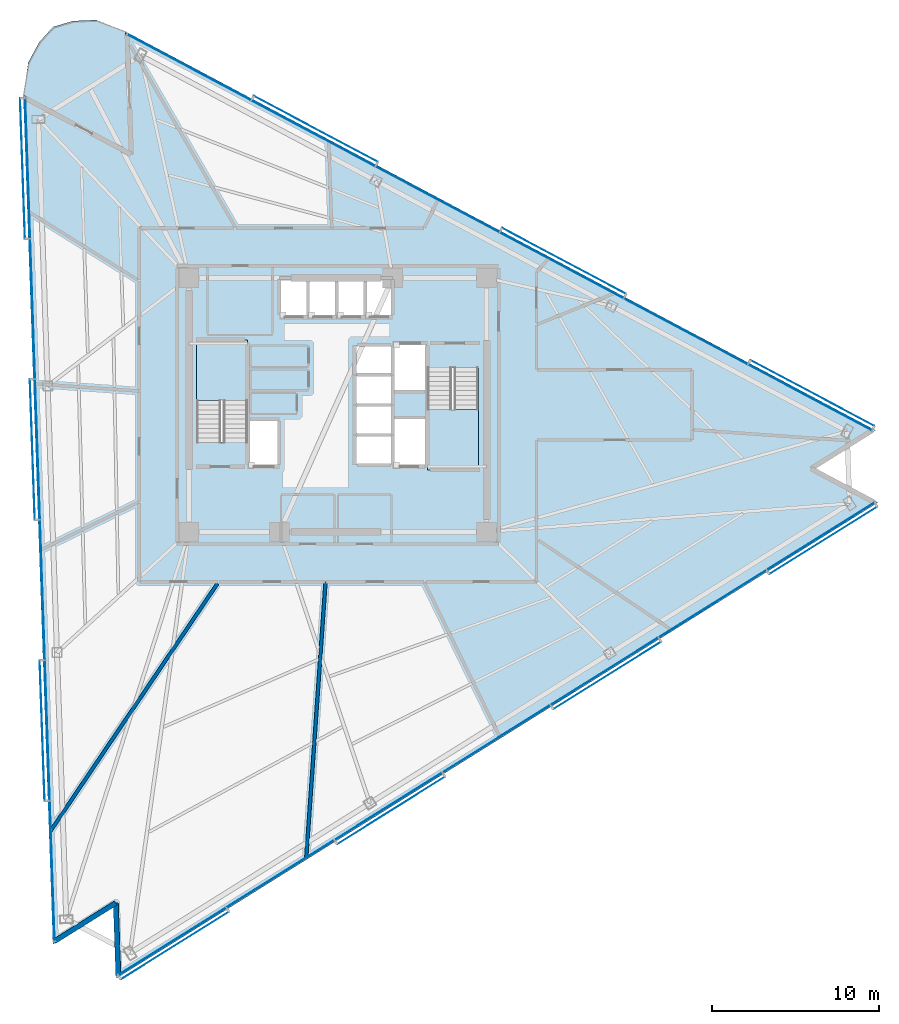
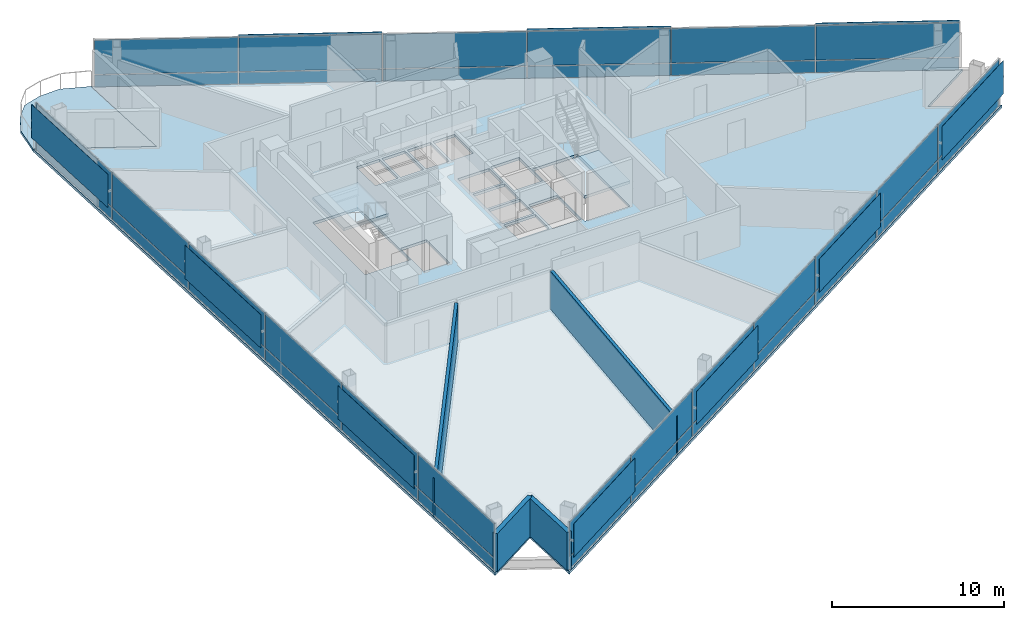
# One storey, part 11 of 20: 48 plates, 4 slabs, 4 walls, 5 elements without a shape of their own.
"""IFC4 building model written with IfcOpenShell, lengths in metres."""

from ifc_helpers import new_model, si_unit, direction, frame, frame_2d, origin, origin_2d, place, context, subcontext, project, spatial, polyline, rectangle, outline, extrude, material, layer, layer_set, type_object, element, aggregate, save


model = new_model("IFC4")

# Units and contexts
model_context = context("Model", 3, precision=1e-05, world=origin(), true_north=direction((0.0, 1.0)))
body_context = subcontext(model_context, "Body", "Model", "MODEL_VIEW")
ifc_project = project(units=[si_unit("LENGTHUNIT", "METRE"), si_unit("AREAUNIT", "SQUARE_METRE"), si_unit("VOLUMEUNIT", "CUBIC_METRE"), si_unit("PLANEANGLEUNIT", "RADIAN"), si_unit("MASSUNIT", "GRAM", prefix="KILO")], contexts=[model_context])

# Site, building, storey
site_placement = place(None, origin())
site = spatial("IfcSite", under=ifc_project, at=site_placement, CompositionType="ELEMENT")
building_placement = place(site_placement, origin())
building = spatial("IfcBuilding", under=site, at=building_placement, Name="Tharavind Bronze Gate", CompositionType="ELEMENT")
storey_placement = place(building_placement, frame((0.0, 0.0, 149.60009765625)))
storey = spatial("IfcBuildingStorey", under=building, at=storey_placement, Name="L38", CompositionType="ELEMENT", Elevation=149.60009765625)

# Plates
ifc_material_1 = material(Name="Perforated Bronze Alloy", Category="bronze")
ifc_layer_1 = layer(ifc_material_1, 0.011962890625)
ifc_layer_set_1 = layer_set([ifc_layer_1], Name="Perforated Bronze Alloy")
plate_type_1 = type_object("IfcPlateType", Name="BRONZE PERFORATED SOLAR SCREEN", PredefinedType="USERDEFINED", material=ifc_layer_set_1)
for number, where, z_axis, x_axis, name in (
    (1, (-18.867919921875, 14.1494140625, 0.96630859375), (0.0, 0.0, 1.0), (0.034899496703, -0.999390827019, 0.0), "CW-L38-S1 perforated bronze solar screen 1"),
    (2, (-18.280517578125, -2.66943359375, 0.96630859375), (0.0, 0.0, 1.0), (0.034899496703, -0.999390827019, 0.0), "CW-L38-S1 perforated bronze solar screen 3"),
    (3, (-17.693115234375, -19.48828125, 0.96630859375), (0.0, 0.0, 1.0), (0.034899496703, -0.999390827019, 0.0), "CW-L38-S1 perforated bronze solar screen 5"),
):
    element("IfcPlate", number, at=place(storey_placement, frame(where, z_axis=z_axis, x_axis=x_axis)), inside=storey, type_object=plate_type_1, Name=name, ObjectType="SCREEN", PredefinedType="USERDEFINED", context=body_context, shape_type="SweptSolid", body=[
        extrude(rectangle(XDim=8.39453125, YDim=0.011962890625, at=origin_2d()), origin(), (0.0, 0.0, 1.0), 2.376953125),
    ])
for number, where, z_axis, x_axis, name in (
    (4, (-9.75439453125, -32.3505859375, 0.96630859375), (0.0, 0.0, 1.0), (0.848048096156, 0.529919264233, 0.0), "CW-L38-S2 perforated bronze solar screen 1"),
    (5, (3.176513671875, -24.2705078125, 0.96630859375), (0.0, 0.0, 1.0), (0.848048096156, 0.529919264233, 0.0), "CW-L38-S2 perforated bronze solar screen 3"),
    (6, (16.107421875, -16.190185546875, 0.96630859375), (0.0, 0.0, 1.0), (0.848048096156, 0.529919264233, 0.0), "CW-L38-S2 perforated bronze solar screen 5"),
    (7, (29.0380859375, -8.110107421875, 0.96630859375), (0.0, 0.0, 1.0), (0.848048096156, 0.529919264233, 0.0), "CW-L38-S2 perforated bronze solar screen 7"),
):
    element("IfcPlate", number, at=place(storey_placement, frame(where, z_axis=z_axis, x_axis=x_axis)), inside=storey, type_object=plate_type_1, Name=name, ObjectType="SCREEN", PredefinedType="USERDEFINED", context=body_context, shape_type="SweptSolid", body=[
        extrude(rectangle(XDim=7.60400390625, YDim=0.011962890625, at=origin_2d()), origin(), (0.0, 0.0, 1.0), 2.376953125),
    ])
for number, where, z_axis, x_axis, name in (
    (8, (28.387451171875, 0.713134765625, 0.96630859375), (0.0, 0.0, 1.0), (-0.882947592859, 0.469471562786, 0.0), "CW-L38-S3 perforated bronze solar screen 1"),
    (9, (13.5283203125, 8.614013671875, 0.96630859375), (0.0, 0.0, 1.0), (-0.882947592859, 0.469471562786, 0.0), "CW-L38-S3 perforated bronze solar screen 3"),
    (10, (-1.3310546875, 16.514892578125, 0.96630859375), (0.0, 0.0, 1.0), (-0.882947592859, 0.469471562786, 0.0), "CW-L38-S3 perforated bronze solar screen 5"),
):
    element("IfcPlate", number, at=place(storey_placement, frame(where, z_axis=z_axis, x_axis=x_axis)), inside=storey, type_object=plate_type_1, Name=name, ObjectType="SCREEN", PredefinedType="USERDEFINED", context=body_context, shape_type="SweptSolid", body=[
        extrude(rectangle(XDim=8.39453125, YDim=0.011962890625, at=origin_2d()), origin(), (0.0, 0.0, 1.0), 2.376953125),
    ])

# Curtain wall, plates
ifc_material_2 = material(Name="Anodised Bronze Aluminium", Category="aluminium")
ifc_layer_2 = layer(ifc_material_2, 0.219970703125)
ifc_layer_set_2 = layer_set([ifc_layer_2], Name="Anodised Bronze Aluminium")
curtain_wall_type = type_object("IfcCurtainWallType", Name="UNITISED CURTAIN WALL MID OFFICE", PredefinedType="USERDEFINED", material=ifc_layer_set_2)
curtain_wall_1_placement = place(storey_placement, origin())
curtain_wall_1 = element("IfcCurtainWall", 11, at=curtain_wall_1_placement, inside=storey, type_object=curtain_wall_type, Name="L38 unitised curtain wall mid office CW-L38-S1", ObjectType="UNITISED CURTAIN WALL", PredefinedType="USERDEFINED")
ifc_material_3 = material(Name="Patinated Bronze Alloy Sheet", Category="bronze")
ifc_layer_3 = layer(ifc_material_3, 0.01611328125)
ifc_layer_set_3 = layer_set([ifc_layer_3], Name="Patinated Bronze Alloy Sheet")
plate_type_2 = type_object("IfcPlateType", Name="BRONZE SPANDREL CLADDING PANEL 16", PredefinedType="CURTAIN_PANEL", material=ifc_layer_set_3)
plate_1_placement = place(storey_placement, frame((-18.572998046875, 14.159912109375, 0.0263671875), z_axis=(0.0, 0.0, 1.0), x_axis=(0.034899496703, -0.999390827019, 0.0)))
plate_1 = element("IfcPlate", 12, at=plate_1_placement, type_object=plate_type_2, Name="CW-L38-S1 bronze spandrel panel 1", PredefinedType="CURTAIN_PANEL", context=body_context, shape_type="SweptSolid", body=[
    extrude(rectangle(XDim=8.361572265625, YDim=0.01611328125, at=origin_2d()), origin(), (0.0, 0.0, 1.0), 0.846923828125),
])
plate_2_placement = place(storey_placement, frame((-18.279296875, 5.750244140625, 0.0263671875), z_axis=(0.0, 0.0, 1.0), x_axis=(0.034899496703, -0.999390827019, 0.0)))
plate_2 = element("IfcPlate", 13, at=plate_2_placement, type_object=plate_type_2, Name="CW-L38-S1 bronze spandrel panel 2", PredefinedType="CURTAIN_PANEL", context=body_context, shape_type="SweptSolid", body=[
    extrude(rectangle(XDim=8.361572265625, YDim=0.01611328125, at=origin_2d()), origin(), (0.0, 0.0, 1.0), 0.846923828125),
])
plate_3_placement = place(storey_placement, frame((-17.985595703125, -2.6591796875, 0.0263671875), z_axis=(0.0, 0.0, 1.0), x_axis=(0.034899496703, -0.999390827019, 0.0)))
plate_3 = element("IfcPlate", 14, at=plate_3_placement, type_object=plate_type_2, Name="CW-L38-S1 bronze spandrel panel 3", PredefinedType="CURTAIN_PANEL", context=body_context, shape_type="SweptSolid", body=[
    extrude(rectangle(XDim=8.361572265625, YDim=0.01611328125, at=origin_2d()), origin(), (0.0, 0.0, 1.0), 0.846923828125),
])
plate_4_placement = place(storey_placement, frame((-17.69189453125, -11.068603515625, 0.0263671875), z_axis=(0.0, 0.0, 1.0), x_axis=(0.034899496703, -0.999390827019, 0.0)))
plate_4 = element("IfcPlate", 15, at=plate_4_placement, type_object=plate_type_2, Name="CW-L38-S1 bronze spandrel panel 4", PredefinedType="CURTAIN_PANEL", context=body_context, shape_type="SweptSolid", body=[
    extrude(rectangle(XDim=8.361572265625, YDim=0.01611328125, at=origin_2d()), origin(), (0.0, 0.0, 1.0), 0.846923828125),
])
plate_5_placement = place(storey_placement, frame((-17.398193359375, -19.477783203125, 0.0263671875), z_axis=(0.0, 0.0, 1.0), x_axis=(0.034899496703, -0.999390827019, 0.0)))
plate_5 = element("IfcPlate", 16, at=plate_5_placement, type_object=plate_type_2, Name="CW-L38-S1 bronze spandrel panel 5", PredefinedType="CURTAIN_PANEL", context=body_context, shape_type="SweptSolid", body=[
    extrude(rectangle(XDim=8.361572265625, YDim=0.01611328125, at=origin_2d()), origin(), (0.0, 0.0, 1.0), 0.846923828125),
])
plate_6_placement = place(storey_placement, frame((-17.1044921875, -27.887451171875, 0.0263671875), z_axis=(0.0, 0.0, 1.0), x_axis=(0.034899496703, -0.999390827019, 0.0)))
plate_6 = element("IfcPlate", 17, at=plate_6_placement, type_object=plate_type_2, Name="CW-L38-S1 bronze spandrel panel 6", PredefinedType="CURTAIN_PANEL", context=body_context, shape_type="SweptSolid", body=[
    extrude(rectangle(XDim=8.361572265625, YDim=0.01611328125, at=origin_2d()), origin(), (0.0, 0.0, 1.0), 0.846923828125),
])

curtain_wall_2_placement = place(storey_placement, origin())
curtain_wall_2 = element("IfcCurtainWall", 18, at=curtain_wall_2_placement, inside=storey, type_object=curtain_wall_type, Name="L38 unitised curtain wall mid office CW-L38-S2", ObjectType="UNITISED CURTAIN WALL", PredefinedType="USERDEFINED")
plate_7_placement = place(storey_placement, frame((-9.910888671875, -32.100341796875, 0.0263671875), z_axis=(0.0, 0.0, 1.0), x_axis=(0.848048096156, 0.529919264233, 0.0)))
plate_7 = element("IfcPlate", 19, at=plate_7_placement, type_object=plate_type_2, Name="CW-L38-S2 bronze spandrel panel 1", PredefinedType="CURTAIN_PANEL", context=body_context, shape_type="SweptSolid", body=[
    extrude(rectangle(XDim=7.57080078125, YDim=0.01611328125, at=origin_2d()), origin(), (0.0, 0.0, 1.0), 0.846923828125),
])
plate_8_placement = place(storey_placement, frame((-3.4453125, -28.060302734375, 0.0263671875), z_axis=(0.0, 0.0, 1.0), x_axis=(0.848048096156, 0.529919264233, 0.0)))
plate_8 = element("IfcPlate", 20, at=plate_8_placement, type_object=plate_type_2, Name="CW-L38-S2 bronze spandrel panel 2", PredefinedType="CURTAIN_PANEL", context=body_context, shape_type="SweptSolid", body=[
    extrude(rectangle(XDim=7.57080078125, YDim=0.01611328125, at=origin_2d()), origin(), (0.0, 0.0, 1.0), 0.846923828125),
])
plate_9_placement = place(storey_placement, frame((3.02001953125, -24.020263671875, 0.0263671875), z_axis=(0.0, 0.0, 1.0), x_axis=(0.848048096156, 0.529919264233, 0.0)))
plate_9 = element("IfcPlate", 21, at=plate_9_placement, type_object=plate_type_2, Name="CW-L38-S2 bronze spandrel panel 3", PredefinedType="CURTAIN_PANEL", context=body_context, shape_type="SweptSolid", body=[
    extrude(rectangle(XDim=7.57080078125, YDim=0.01611328125, at=origin_2d()), origin(), (0.0, 0.0, 1.0), 0.846923828125),
])
plate_10_placement = place(storey_placement, frame((9.485595703125, -19.97998046875, 0.0263671875), z_axis=(0.0, 0.0, 1.0), x_axis=(0.848048096156, 0.529919264233, 0.0)))
plate_10 = element("IfcPlate", 22, at=plate_10_placement, type_object=plate_type_2, Name="CW-L38-S2 bronze spandrel panel 4", PredefinedType="CURTAIN_PANEL", context=body_context, shape_type="SweptSolid", body=[
    extrude(rectangle(XDim=7.57080078125, YDim=0.01611328125, at=origin_2d()), origin(), (0.0, 0.0, 1.0), 0.846923828125),
])
plate_11_placement = place(storey_placement, frame((15.950927734375, -15.93994140625, 0.0263671875), z_axis=(0.0, 0.0, 1.0), x_axis=(0.848048096156, 0.529919264233, 0.0)))
plate_11 = element("IfcPlate", 23, at=plate_11_placement, type_object=plate_type_2, Name="CW-L38-S2 bronze spandrel panel 5", PredefinedType="CURTAIN_PANEL", context=body_context, shape_type="SweptSolid", body=[
    extrude(rectangle(XDim=7.57080078125, YDim=0.01611328125, at=origin_2d()), origin(), (0.0, 0.0, 1.0), 0.846923828125),
])
plate_12_placement = place(storey_placement, frame((22.41650390625, -11.89990234375, 0.0263671875), z_axis=(0.0, 0.0, 1.0), x_axis=(0.848048096156, 0.529919264233, 0.0)))
plate_12 = element("IfcPlate", 24, at=plate_12_placement, type_object=plate_type_2, Name="CW-L38-S2 bronze spandrel panel 6", PredefinedType="CURTAIN_PANEL", context=body_context, shape_type="SweptSolid", body=[
    extrude(rectangle(XDim=7.57080078125, YDim=0.01611328125, at=origin_2d()), origin(), (0.0, 0.0, 1.0), 0.846923828125),
])
plate_13_placement = place(storey_placement, frame((28.8818359375, -7.85986328125, 0.0263671875), z_axis=(0.0, 0.0, 1.0), x_axis=(0.848048096156, 0.529919264233, 0.0)))
plate_13 = element("IfcPlate", 25, at=plate_13_placement, type_object=plate_type_2, Name="CW-L38-S2 bronze spandrel panel 7", PredefinedType="CURTAIN_PANEL", context=body_context, shape_type="SweptSolid", body=[
    extrude(rectangle(XDim=7.57080078125, YDim=0.01611328125, at=origin_2d()), origin(), (0.0, 0.0, 1.0), 0.846923828125),
])

curtain_wall_3_placement = place(storey_placement, origin())
curtain_wall_3 = element("IfcCurtainWall", 26, at=curtain_wall_3_placement, inside=storey, type_object=curtain_wall_type, Name="L38 unitised curtain wall mid office CW-L38-S3", ObjectType="UNITISED CURTAIN WALL", PredefinedType="USERDEFINED")
plate_14_placement = place(storey_placement, frame((28.2490234375, 0.45263671875, 0.0263671875), z_axis=(0.0, 0.0, 1.0), x_axis=(-0.882947592859, 0.469471562786, 0.0)))
plate_14 = element("IfcPlate", 27, at=plate_14_placement, type_object=plate_type_2, Name="CW-L38-S3 bronze spandrel panel 1", PredefinedType="CURTAIN_PANEL", context=body_context, shape_type="SweptSolid", body=[
    extrude(rectangle(XDim=8.361572265625, YDim=0.01611328125, at=origin_2d()), origin(), (0.0, 0.0, 1.0), 0.846923828125),
])
plate_15_placement = place(storey_placement, frame((20.8193359375, 4.403076171875, 0.0263671875), z_axis=(0.0, 0.0, 1.0), x_axis=(-0.882947592859, 0.469471562786, 0.0)))
plate_15 = element("IfcPlate", 28, at=plate_15_placement, type_object=plate_type_2, Name="CW-L38-S3 bronze spandrel panel 2", PredefinedType="CURTAIN_PANEL", context=body_context, shape_type="SweptSolid", body=[
    extrude(rectangle(XDim=8.361572265625, YDim=0.01611328125, at=origin_2d()), origin(), (0.0, 0.0, 1.0), 0.846923828125),
])
plate_16_placement = place(storey_placement, frame((13.389892578125, 8.353515625, 0.0263671875), z_axis=(0.0, 0.0, 1.0), x_axis=(-0.882947592859, 0.469471562786, 0.0)))
plate_16 = element("IfcPlate", 29, at=plate_16_placement, type_object=plate_type_2, Name="CW-L38-S3 bronze spandrel panel 3", PredefinedType="CURTAIN_PANEL", context=body_context, shape_type="SweptSolid", body=[
    extrude(rectangle(XDim=8.361572265625, YDim=0.01611328125, at=origin_2d()), origin(), (0.0, 0.0, 1.0), 0.846923828125),
])
plate_17_placement = place(storey_placement, frame((5.960205078125, 12.303955078125, 0.0263671875), z_axis=(0.0, 0.0, 1.0), x_axis=(-0.882947592859, 0.469471562786, 0.0)))
plate_17 = element("IfcPlate", 30, at=plate_17_placement, type_object=plate_type_2, Name="CW-L38-S3 bronze spandrel panel 4", PredefinedType="CURTAIN_PANEL", context=body_context, shape_type="SweptSolid", body=[
    extrude(rectangle(XDim=8.361572265625, YDim=0.01611328125, at=origin_2d()), origin(), (0.0, 0.0, 1.0), 0.846923828125),
])
plate_18_placement = place(storey_placement, frame((-1.469482421875, 16.25439453125, 0.0263671875), z_axis=(0.0, 0.0, 1.0), x_axis=(-0.882947592859, 0.469471562786, 0.0)))
plate_18 = element("IfcPlate", 31, at=plate_18_placement, type_object=plate_type_2, Name="CW-L38-S3 bronze spandrel panel 5", PredefinedType="CURTAIN_PANEL", context=body_context, shape_type="SweptSolid", body=[
    extrude(rectangle(XDim=8.361572265625, YDim=0.01611328125, at=origin_2d()), origin(), (0.0, 0.0, 1.0), 0.846923828125),
])
plate_19_placement = place(storey_placement, frame((-8.899169921875, 20.20458984375, 0.0263671875), z_axis=(0.0, 0.0, 1.0), x_axis=(-0.882947592859, 0.469471562786, 0.0)))
plate_19 = element("IfcPlate", 32, at=plate_19_placement, type_object=plate_type_2, Name="CW-L38-S3 bronze spandrel panel 6", PredefinedType="CURTAIN_PANEL", context=body_context, shape_type="SweptSolid", body=[
    extrude(rectangle(XDim=8.361572265625, YDim=0.01611328125, at=origin_2d()), origin(), (0.0, 0.0, 1.0), 0.846923828125),
])

# Slab
ifc_material_4 = material(Name="Concrete C40/50", Category="concrete")
ifc_layer_4 = layer(ifc_material_4, 0.179931640625)
ifc_layer_set_4 = layer_set([ifc_layer_4], Name="Concrete C40/50")
slab_type_1 = type_object("IfcSlabType", Name="EXTERIOR BALCONY SLAB 180", PredefinedType="FLOOR", material=ifc_layer_set_4)
slab_1_placement = place(storey_placement, frame((0.0, 0.0, -0.18017578125)))
element("IfcSlab", 33, at=slab_1_placement, inside=storey, type_object=slab_type_1, Name="L38 northeast tree balcony slab", PredefinedType="FLOOR", context=body_context, shape_type="SweptSolid", body=[
    extrude(outline(polyline([(-14.45654296875, 23.033203125), (-15.835693359375, 22.975830078125), (-17.032470703125, 22.626220703125), (-17.87109375, 21.7041015625), (-18.527099609375, 20.489501953125), (-18.82568359375, 18.5341796875), (-12.468505859375, 15.15380859375), (-12.719970703125, 22.349609375), (-14.45654296875, 23.033203125)])), origin(), (0.0, 0.0, 1.0), 0.18017578125),
])

# Stair, slab
stair_type = type_object("IfcStairType", Name="CORE HALF TURN STAIR 1450", PredefinedType="HALF_TURN_STAIR", material=ifc_material_4)
stair_1_placement = place(storey_placement, origin())
stair_1 = element("IfcStair", 34, at=stair_1_placement, inside=storey, type_object=stair_type, Name="L38 Protected Exit Stair ST1", PredefinedType="HALF_TURN_STAIR")
ifc_layer_5 = layer(ifc_material_4, 0.199951171875)
ifc_layer_set_5 = layer_set([ifc_layer_5], Name="Concrete C40/50")
slab_type_2 = type_object("IfcSlabType", Name="STAIR LANDING SLAB 200", PredefinedType="LANDING", material=ifc_layer_set_5)
slab_2_placement = place(storey_placement, frame((0.0, 0.0, 1.599853515625)))
slab_2 = element("IfcSlab", 35, at=slab_2_placement, type_object=slab_type_2, Name="ST1 landing 1", PredefinedType="LANDING", context=body_context, shape_type="SweptSolid", body=[
    extrude(outline(polyline([(-5.39990234375, 0.27001953125), (-5.39990234375, 3.89990234375), (-8.449951171875, 3.89990234375), (-8.449951171875, 0.27001953125), (-5.39990234375, 0.27001953125)])), origin(), (0.0, 0.0, 1.0), 0.199951171875),
])
aggregate(stair_1, [slab_2])

stair_2_placement = place(storey_placement, origin())
stair_2 = element("IfcStair", 36, at=stair_2_placement, inside=storey, type_object=stair_type, Name="L38 Protected Exit Stair ST2", PredefinedType="HALF_TURN_STAIR")
slab_3_placement = place(storey_placement, frame((0.0, 0.0, 1.599853515625)))
slab_3 = element("IfcSlab", 37, at=slab_3_placement, type_object=slab_type_2, Name="ST2 landing 1", PredefinedType="LANDING", context=body_context, shape_type="SweptSolid", body=[
    extrude(outline(polyline([(5.35009765625, -0.27001953125), (5.35009765625, -3.89990234375), (8.39990234375, -3.89990234375), (8.39990234375, -0.27001953125), (5.35009765625, -0.27001953125)])), origin(), (0.0, 0.0, 1.0), 0.199951171875),
])
aggregate(stair_2, [slab_3])

# Slab
ifc_layer_6 = layer(ifc_material_4, 0.18994140625)
ifc_layer_set_6 = layer_set([ifc_layer_6], Name="Concrete C40/50")
slab_type_3 = type_object("IfcSlabType", Name="STRUCTURAL FLOOR SLAB 190", PredefinedType="FLOOR", material=ifc_layer_set_6)
slab_4_placement = place(storey_placement, frame((0.0, 0.0, -0.190185546875)))
element("IfcSlab", 38, at=slab_4_placement, inside=storey, type_object=slab_type_3, Name="L38 main structural floor slab", PredefinedType="FLOOR", context=body_context, shape_type="SweptSolid", body=[
    extrude(outline(polyline([(-12.719970703125, 22.349609375), (-12.468505859375, 15.15380859375), (-18.82568359375, 18.5341796875), (-17.0517578125, -32.268798828125), (-13.38818359375, -29.9794921875), (-13.2373046875, -34.296875), (32.314453125, -5.8330078125), (28.500244140625, -3.8046875), (32.163818359375, -1.515380859375), (-12.719970703125, 22.349609375)]), holes=[polyline([(-5.39990234375, -2.215087890625), (-5.39990234375, 3.89990234375), (-8.449951171875, 3.89990234375), (-8.449951171875, -2.215087890625), (-5.39990234375, -2.215087890625)]), polyline([(5.35009765625, 2.215087890625), (5.35009765625, -3.89990234375), (8.39990234375, -3.89990234375), (8.39990234375, 2.215087890625), (5.35009765625, 2.215087890625)]), polyline([(-3.419921875, 5.330078125), (-1.867431640625, 5.330078125), (-1.867431640625, 7.52001953125), (-3.419921875, 7.52001953125), (-3.419921875, 5.330078125)]), polyline([(-1.70751953125, 5.330078125), (-0.155029296875, 5.330078125), (-0.155029296875, 7.52001953125), (-1.70751953125, 7.52001953125), (-1.70751953125, 5.330078125)]), polyline([(0.0048828125, 5.330078125), (1.5576171875, 5.330078125), (1.5576171875, 7.52001953125), (0.0048828125, 7.52001953125), (0.0048828125, 5.330078125)]), polyline([(1.717529296875, 5.330078125), (3.199951171875, 5.330078125), (3.199951171875, 7.52001953125), (1.717529296875, 7.52001953125), (1.717529296875, 5.330078125)]), polyline([(1.080078125, -3.52001953125), (3.199951171875, -3.52001953125), (3.199951171875, -1.8798828125), (1.080078125, -1.8798828125), (1.080078125, -3.52001953125)]), polyline([(1.080078125, -1.719970703125), (3.199951171875, -1.719970703125), (3.199951171875, -0.080078125), (1.080078125, -0.080078125), (1.080078125, -1.719970703125)]), polyline([(1.080078125, 0.080078125), (3.199951171875, 0.080078125), (3.199951171875, 1.719970703125), (1.080078125, 1.719970703125), (1.080078125, 0.080078125)]), polyline([(1.080078125, 1.8798828125), (3.199951171875, 1.8798828125), (3.199951171875, 3.52001953125), (1.080078125, 3.52001953125), (1.080078125, 1.8798828125)]), polyline([(-5.320068359375, -3.6201171875), (-3.580078125, -3.6201171875), (-3.580078125, -0.929931640625), (-5.320068359375, -0.929931640625), (-5.320068359375, -3.6201171875)]), polyline([(3.360107421875, 0.8798828125), (5.27001953125, 0.8798828125), (5.27001953125, 3.6201171875), (3.360107421875, 3.6201171875), (3.360107421875, 0.8798828125)]), polyline([(3.360107421875, -3.6201171875), (5.27001953125, -3.6201171875), (5.27001953125, -0.830078125), (3.360107421875, -0.830078125), (3.360107421875, -3.6201171875)])]), origin(), (0.0, 0.0, 1.0), 0.190185546875),
])

# Plate
ifc_material_5 = material(Name="Triple Solar Control Glazing", Category="glass")
ifc_layer_7 = layer(ifc_material_5, 0.0439453125)
ifc_layer_set_7 = layer_set([ifc_layer_7], Name="Triple Solar Control Glazing")
plate_type_3 = type_object("IfcPlateType", Name="TRIPLE GLAZED FACADE PANEL 44", PredefinedType="CURTAIN_PANEL", material=ifc_layer_set_7)
plate_20_placement = place(storey_placement, frame((-18.572998046875, 14.159912109375, 0.92626953125), z_axis=(0.0, 0.0, 1.0), x_axis=(0.034899496703, -0.999390827019, 0.0)))
plate_20 = element("IfcPlate", 39, at=plate_20_placement, type_object=plate_type_3, Name="CW-L38-S1 vision glazing panel 1", PredefinedType="CURTAIN_PANEL", context=body_context, shape_type="SweptSolid", body=[
    extrude(rectangle(XDim=8.361572265625, YDim=0.0439453125, at=origin_2d()), origin(), (0.0, 0.0, 1.0), 2.45703125),
])

plate_21_placement = place(storey_placement, frame((-18.279296875, 5.750244140625, 0.92626953125), z_axis=(0.0, 0.0, 1.0), x_axis=(0.034899496703, -0.999390827019, 0.0)))
plate_21 = element("IfcPlate", 40, at=plate_21_placement, type_object=plate_type_3, Name="CW-L38-S1 vision glazing panel 2", PredefinedType="CURTAIN_PANEL", context=body_context, shape_type="SweptSolid", body=[
    extrude(rectangle(XDim=8.361572265625, YDim=0.0439453125, at=origin_2d()), origin(), (0.0, 0.0, 1.0), 2.45703125),
])

plate_22_placement = place(storey_placement, frame((-17.985595703125, -2.6591796875, 0.92626953125), z_axis=(0.0, 0.0, 1.0), x_axis=(0.034899496703, -0.999390827019, 0.0)))
plate_22 = element("IfcPlate", 41, at=plate_22_placement, type_object=plate_type_3, Name="CW-L38-S1 vision glazing panel 3", PredefinedType="CURTAIN_PANEL", context=body_context, shape_type="SweptSolid", body=[
    extrude(rectangle(XDim=8.361572265625, YDim=0.0439453125, at=origin_2d()), origin(), (0.0, 0.0, 1.0), 2.45703125),
])

plate_23_placement = place(storey_placement, frame((-17.69189453125, -11.068603515625, 0.92626953125), z_axis=(0.0, 0.0, 1.0), x_axis=(0.034899496703, -0.999390827019, 0.0)))
plate_23 = element("IfcPlate", 42, at=plate_23_placement, type_object=plate_type_3, Name="CW-L38-S1 vision glazing panel 4", PredefinedType="CURTAIN_PANEL", context=body_context, shape_type="SweptSolid", body=[
    extrude(rectangle(XDim=8.361572265625, YDim=0.0439453125, at=origin_2d()), origin(), (0.0, 0.0, 1.0), 2.45703125),
])

plate_24_placement = place(storey_placement, frame((-17.398193359375, -19.477783203125, 0.92626953125), z_axis=(0.0, 0.0, 1.0), x_axis=(0.034899496703, -0.999390827019, 0.0)))
plate_24 = element("IfcPlate", 43, at=plate_24_placement, type_object=plate_type_3, Name="CW-L38-S1 vision glazing panel 5", PredefinedType="CURTAIN_PANEL", context=body_context, shape_type="SweptSolid", body=[
    extrude(rectangle(XDim=8.361572265625, YDim=0.0439453125, at=origin_2d()), origin(), (0.0, 0.0, 1.0), 2.45703125),
])

plate_25_placement = place(storey_placement, frame((-17.1044921875, -27.887451171875, 0.92626953125), z_axis=(0.0, 0.0, 1.0), x_axis=(0.034899496703, -0.999390827019, 0.0)))
plate_25 = element("IfcPlate", 44, at=plate_25_placement, type_object=plate_type_3, Name="CW-L38-S1 vision glazing panel 6", PredefinedType="CURTAIN_PANEL", context=body_context, shape_type="SweptSolid", body=[
    extrude(rectangle(XDim=8.361572265625, YDim=0.0439453125, at=origin_2d()), origin(), (0.0, 0.0, 1.0), 2.45703125),
])

aggregate(curtain_wall_1, [plate_1, plate_20, plate_2, plate_21, plate_3, plate_22, plate_4, plate_23, plate_5, plate_24, plate_6, plate_25])

plate_26_placement = place(storey_placement, frame((-9.910888671875, -32.100341796875, 0.92626953125), z_axis=(0.0, 0.0, 1.0), x_axis=(0.848048096156, 0.529919264233, 0.0)))
plate_26 = element("IfcPlate", 45, at=plate_26_placement, type_object=plate_type_3, Name="CW-L38-S2 vision glazing panel 1", PredefinedType="CURTAIN_PANEL", context=body_context, shape_type="SweptSolid", body=[
    extrude(rectangle(XDim=7.57080078125, YDim=0.0439453125, at=origin_2d()), origin(), (0.0, 0.0, 1.0), 2.45703125),
])

plate_27_placement = place(storey_placement, frame((-3.4453125, -28.060302734375, 0.92626953125), z_axis=(0.0, 0.0, 1.0), x_axis=(0.848048096156, 0.529919264233, 0.0)))
plate_27 = element("IfcPlate", 46, at=plate_27_placement, type_object=plate_type_3, Name="CW-L38-S2 vision glazing panel 2", PredefinedType="CURTAIN_PANEL", context=body_context, shape_type="SweptSolid", body=[
    extrude(rectangle(XDim=7.57080078125, YDim=0.0439453125, at=origin_2d()), origin(), (0.0, 0.0, 1.0), 2.45703125),
])

plate_28_placement = place(storey_placement, frame((3.02001953125, -24.020263671875, 0.92626953125), z_axis=(0.0, 0.0, 1.0), x_axis=(0.848048096156, 0.529919264233, 0.0)))
plate_28 = element("IfcPlate", 47, at=plate_28_placement, type_object=plate_type_3, Name="CW-L38-S2 vision glazing panel 3", PredefinedType="CURTAIN_PANEL", context=body_context, shape_type="SweptSolid", body=[
    extrude(rectangle(XDim=7.57080078125, YDim=0.0439453125, at=origin_2d()), origin(), (0.0, 0.0, 1.0), 2.45703125),
])

plate_29_placement = place(storey_placement, frame((9.485595703125, -19.97998046875, 0.92626953125), z_axis=(0.0, 0.0, 1.0), x_axis=(0.848048096156, 0.529919264233, 0.0)))
plate_29 = element("IfcPlate", 48, at=plate_29_placement, type_object=plate_type_3, Name="CW-L38-S2 vision glazing panel 4", PredefinedType="CURTAIN_PANEL", context=body_context, shape_type="SweptSolid", body=[
    extrude(rectangle(XDim=7.57080078125, YDim=0.0439453125, at=origin_2d()), origin(), (0.0, 0.0, 1.0), 2.45703125),
])

plate_30_placement = place(storey_placement, frame((15.950927734375, -15.93994140625, 0.92626953125), z_axis=(0.0, 0.0, 1.0), x_axis=(0.848048096156, 0.529919264233, 0.0)))
plate_30 = element("IfcPlate", 49, at=plate_30_placement, type_object=plate_type_3, Name="CW-L38-S2 vision glazing panel 5", PredefinedType="CURTAIN_PANEL", context=body_context, shape_type="SweptSolid", body=[
    extrude(rectangle(XDim=7.57080078125, YDim=0.0439453125, at=origin_2d()), origin(), (0.0, 0.0, 1.0), 2.45703125),
])

plate_31_placement = place(storey_placement, frame((22.41650390625, -11.89990234375, 0.92626953125), z_axis=(0.0, 0.0, 1.0), x_axis=(0.848048096156, 0.529919264233, 0.0)))
plate_31 = element("IfcPlate", 50, at=plate_31_placement, type_object=plate_type_3, Name="CW-L38-S2 vision glazing panel 6", PredefinedType="CURTAIN_PANEL", context=body_context, shape_type="SweptSolid", body=[
    extrude(rectangle(XDim=7.57080078125, YDim=0.0439453125, at=origin_2d()), origin(), (0.0, 0.0, 1.0), 2.45703125),
])

plate_32_placement = place(storey_placement, frame((28.8818359375, -7.85986328125, 0.92626953125), z_axis=(0.0, 0.0, 1.0), x_axis=(0.848048096156, 0.529919264233, 0.0)))
plate_32 = element("IfcPlate", 51, at=plate_32_placement, type_object=plate_type_3, Name="CW-L38-S2 vision glazing panel 7", PredefinedType="CURTAIN_PANEL", context=body_context, shape_type="SweptSolid", body=[
    extrude(rectangle(XDim=7.57080078125, YDim=0.0439453125, at=origin_2d()), origin(), (0.0, 0.0, 1.0), 2.45703125),
])

aggregate(curtain_wall_2, [plate_7, plate_26, plate_8, plate_27, plate_9, plate_28, plate_10, plate_29, plate_11, plate_30, plate_12, plate_31, plate_13, plate_32])

plate_33_placement = place(storey_placement, frame((28.2490234375, 0.45263671875, 0.92626953125), z_axis=(0.0, 0.0, 1.0), x_axis=(-0.882947592859, 0.469471562786, 0.0)))
plate_33 = element("IfcPlate", 52, at=plate_33_placement, type_object=plate_type_3, Name="CW-L38-S3 vision glazing panel 1", PredefinedType="CURTAIN_PANEL", context=body_context, shape_type="SweptSolid", body=[
    extrude(rectangle(XDim=8.361572265625, YDim=0.0439453125, at=origin_2d()), origin(), (0.0, 0.0, 1.0), 2.45703125),
])

plate_34_placement = place(storey_placement, frame((20.8193359375, 4.403076171875, 0.92626953125), z_axis=(0.0, 0.0, 1.0), x_axis=(-0.882947592859, 0.469471562786, 0.0)))
plate_34 = element("IfcPlate", 53, at=plate_34_placement, type_object=plate_type_3, Name="CW-L38-S3 vision glazing panel 2", PredefinedType="CURTAIN_PANEL", context=body_context, shape_type="SweptSolid", body=[
    extrude(rectangle(XDim=8.361572265625, YDim=0.0439453125, at=origin_2d()), origin(), (0.0, 0.0, 1.0), 2.45703125),
])

plate_35_placement = place(storey_placement, frame((13.389892578125, 8.353515625, 0.92626953125), z_axis=(0.0, 0.0, 1.0), x_axis=(-0.882947592859, 0.469471562786, 0.0)))
plate_35 = element("IfcPlate", 54, at=plate_35_placement, type_object=plate_type_3, Name="CW-L38-S3 vision glazing panel 3", PredefinedType="CURTAIN_PANEL", context=body_context, shape_type="SweptSolid", body=[
    extrude(rectangle(XDim=8.361572265625, YDim=0.0439453125, at=origin_2d()), origin(), (0.0, 0.0, 1.0), 2.45703125),
])

plate_36_placement = place(storey_placement, frame((5.960205078125, 12.303955078125, 0.92626953125), z_axis=(0.0, 0.0, 1.0), x_axis=(-0.882947592859, 0.469471562786, 0.0)))
plate_36 = element("IfcPlate", 55, at=plate_36_placement, type_object=plate_type_3, Name="CW-L38-S3 vision glazing panel 4", PredefinedType="CURTAIN_PANEL", context=body_context, shape_type="SweptSolid", body=[
    extrude(rectangle(XDim=8.361572265625, YDim=0.0439453125, at=origin_2d()), origin(), (0.0, 0.0, 1.0), 2.45703125),
])

plate_37_placement = place(storey_placement, frame((-1.469482421875, 16.25439453125, 0.92626953125), z_axis=(0.0, 0.0, 1.0), x_axis=(-0.882947592859, 0.469471562786, 0.0)))
plate_37 = element("IfcPlate", 56, at=plate_37_placement, type_object=plate_type_3, Name="CW-L38-S3 vision glazing panel 5", PredefinedType="CURTAIN_PANEL", context=body_context, shape_type="SweptSolid", body=[
    extrude(rectangle(XDim=8.361572265625, YDim=0.0439453125, at=origin_2d()), origin(), (0.0, 0.0, 1.0), 2.45703125),
])

plate_38_placement = place(storey_placement, frame((-8.899169921875, 20.20458984375, 0.92626953125), z_axis=(0.0, 0.0, 1.0), x_axis=(-0.882947592859, 0.469471562786, 0.0)))
plate_38 = element("IfcPlate", 57, at=plate_38_placement, type_object=plate_type_3, Name="CW-L38-S3 vision glazing panel 6", PredefinedType="CURTAIN_PANEL", context=body_context, shape_type="SweptSolid", body=[
    extrude(rectangle(XDim=8.361572265625, YDim=0.0439453125, at=origin_2d()), origin(), (0.0, 0.0, 1.0), 2.45703125),
])

aggregate(curtain_wall_3, [plate_14, plate_33, plate_15, plate_34, plate_16, plate_35, plate_17, plate_36, plate_18, plate_37, plate_19, plate_38])

# Walls
ifc_layer_8 = layer(ifc_material_4, 0.300048828125)
ifc_layer_set_8 = layer_set([ifc_layer_8], Name="Concrete C40/50")
wall_type_1 = type_object("IfcWallType", Name="EXTERIOR SPANDREL WALL 300", PredefinedType="STANDARD", material=ifc_layer_set_8)
wall_1_placement = place(storey_placement, frame((-16.957763671875, -32.092041015625, 0.0), z_axis=(0.0, 0.0, 1.0), x_axis=(0.848068146975, 0.529887174866, 0.0)))
element("IfcWall", 58, at=wall_1_placement, inside=storey, type_object=wall_type_1, Name="L38 notch cheek wall 2A", PredefinedType="STANDARD", context=body_context, shape_type="SweptSolid", body=[
    extrude(rectangle(XDim=4.31982421875, YDim=0.300048828125, at=frame_2d((2.159912109375, 0.0))), origin(), (0.0, 0.0, 1.0), 2.704833984375),
])
wall_2_placement = place(storey_placement, frame((-13.294189453125, -29.802978515625, 0.0), z_axis=(0.0, 0.0, 1.0), x_axis=(0.034869079132, -0.999391888761, 0.0)))
element("IfcWall", 59, at=wall_2_placement, inside=storey, type_object=wall_type_1, Name="L38 notch cheek wall 2B", PredefinedType="STANDARD", context=body_context, shape_type="SweptSolid", body=[
    extrude(rectangle(XDim=4.320068359375, YDim=0.300048828125, at=frame_2d((2.16015625, 0.0))), origin(), (0.0, 0.0, 1.0), 2.704833984375),
])
ifc_material_6 = material(Name="Aerated Concrete Block", Category="concrete")
ifc_layer_9 = layer(ifc_material_6, 0.199951171875)
ifc_layer_set_9 = layer_set([ifc_layer_9], Name="Aerated Concrete Block")
wall_type_2 = type_object("IfcWallType", Name="FIRE RATED PARTITION 200", PredefinedType="PARTITIONING", material=ifc_layer_set_9)
wall_3_placement = place(storey_placement, frame((-7.20703125, -10.68505859375, 0.0), z_axis=(0.0, 0.0, 1.0), x_axis=(-0.559208788391, -0.82902685782, 0.0)))
element("IfcWall", 60, at=wall_3_placement, inside=storey, type_object=wall_type_2, Name="L38 Partner Office 5 partition", PredefinedType="PARTITIONING", context=body_context, shape_type="SweptSolid", body=[
    extrude(rectangle(XDim=17.849609375, YDim=0.199951171875, at=frame_2d((8.9248046875, 0.0))), origin(), (0.0, 0.0, 1.0), 2.704833984375),
])
wall_4_placement = place(storey_placement, frame((-0.74169921875, -10.606689453125, 0.0), z_axis=(0.0, 0.0, 1.0), x_axis=(-0.069759090617, -0.997563867267, 0.0)))
element("IfcWall", 61, at=wall_4_placement, inside=storey, type_object=wall_type_2, Name="L38 Research Office 6 partition", PredefinedType="PARTITIONING", context=body_context, shape_type="SweptSolid", body=[
    extrude(rectangle(XDim=16.511962890625, YDim=0.199951171875, at=frame_2d((8.255859375, 0.0))), origin(), (0.0, 0.0, 1.0), 2.704833984375),
])

save(model, "model.ifc")
